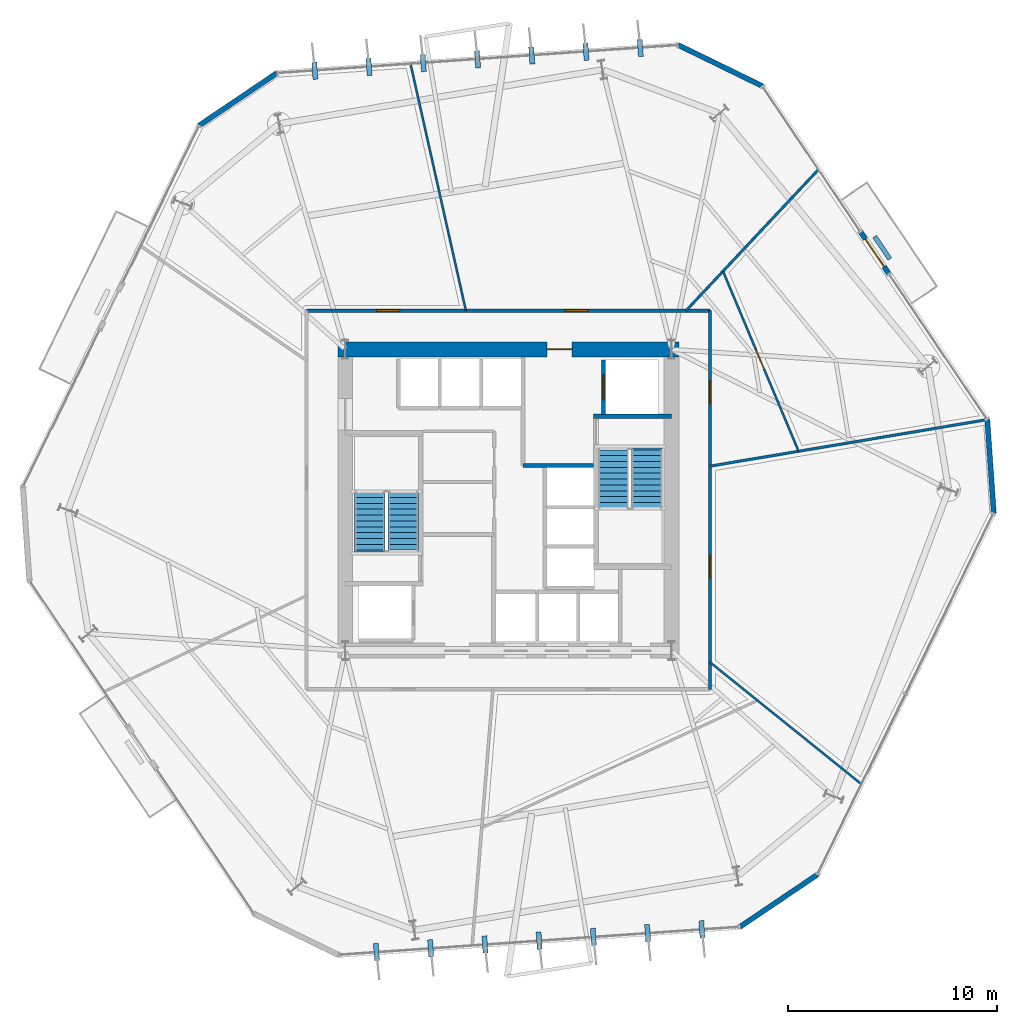
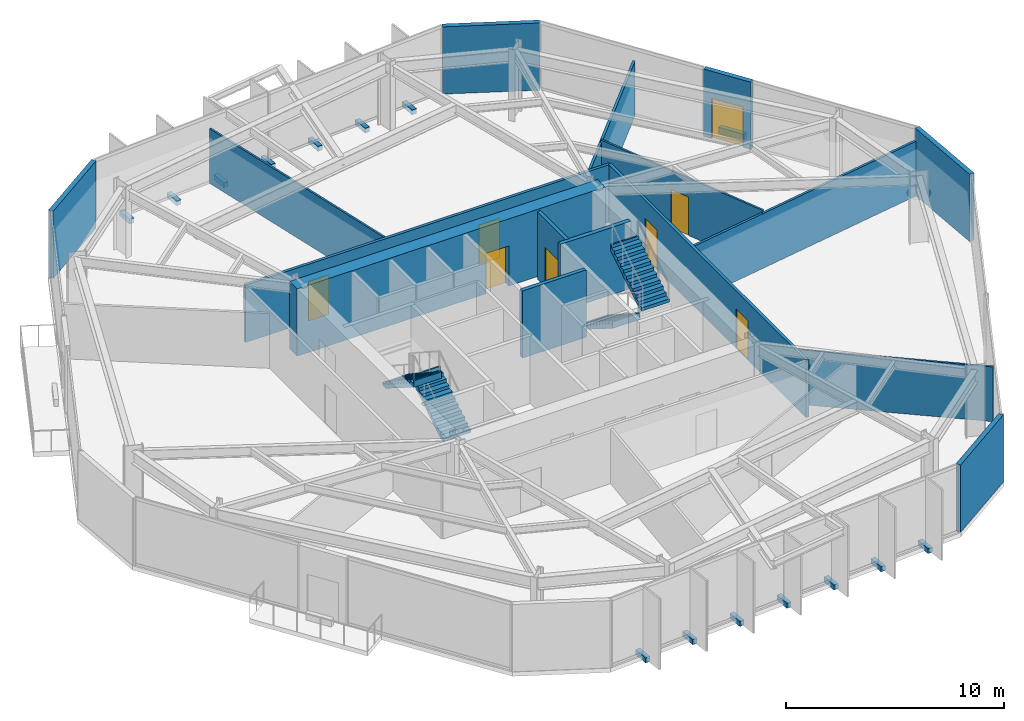
# One storey, part 7 of 10: 17 walls, 14 discrete accessories, 8 doors, 4 stair flights, 8 openings, 2 elements without a shape of their own.
"""IFC4 building model written with IfcOpenShell, lengths in metres."""

import ifcopenshell
import ifcopenshell.guid

model = None  # the IFC model being written
_history = None  # IfcOwnerHistory: only IFC2X3 demands one
_inside = {}  # id of a spatial element -> (the spatial element, [elements in it])
_under = {}  # id of a project, library or spatial element -> (it, [spatial elements below it])
_declared = {}  # id of a project -> (the project, [libraries it declares])
_typed = {}  # id of a type object -> (the type object, [elements of that type])
_made_of = {}  # id of a material, layer set ... -> (it, [elements and type objects made of it])


def new_model(schema):
    """Start an empty IFC model of exactly this schema.

    Asked for "IFC4X3", IfcOpenShell would pick the latest addendum, in which some entities
    have other attributes; the version numbers below select the first issue.
    IFC2X3 requires an IfcOwnerHistory on every rooted entity: one is made here for all.
    """
    global model, _history
    if schema == "IFC4X3":
        model = ifcopenshell.file(schema_version=(4, 3, 0, 0))
    else:
        model = ifcopenshell.file(schema=schema)
    _inside.clear()
    _under.clear()
    _declared.clear()
    _typed.clear()
    _made_of.clear()
    _history = None
    if model.schema == "IFC2X3":
        org = make("IfcOrganization", Name="unknown")
        user = make(
            "IfcPersonAndOrganization",
            ThePerson=make("IfcPerson", FamilyName="unknown"),
            TheOrganization=org,
        )
        app = make(
            "IfcApplication",
            ApplicationDeveloper=org,
            Version="unknown",
            ApplicationFullName="unknown",
            ApplicationIdentifier="unknown",
        )
        _history = make(
            "IfcOwnerHistory",
            OwningUser=user,
            OwningApplication=app,
            ChangeAction="ADDED",
            CreationDate=0,
        )
    return model


def make(cls, **values):
    """One entity of the class cls with the attributes given. An attribute that is None is left unset."""
    return model.create_entity(
        cls, **{name: value for name, value in values.items() if value is not None}
    )


def rooted(cls, **values):
    """An entity with a GlobalId (a new one), such as an element, a storey or a relation."""
    return make(cls, GlobalId=ifcopenshell.guid.new(), OwnerHistory=_history, **values)


def si_unit(unit_type, name, prefix=None):
    """IfcSIUnit, for example si_unit("LENGTHUNIT", "METRE", prefix="MILLI")."""
    return make("IfcSIUnit", UnitType=unit_type, Prefix=prefix, Name=name)


def assignment(units):
    """IfcUnitAssignment: the units of a project."""
    return None if units is None else make("IfcUnitAssignment", Units=units)


def point(xyz):
    """IfcCartesianPoint."""
    return None if xyz is None else make("IfcCartesianPoint", Coordinates=xyz)


def direction(xyz):
    """IfcDirection."""
    return None if xyz is None else make("IfcDirection", DirectionRatios=xyz)


def frame(location, z_axis=None, x_axis=None):
    """IfcAxis2Placement3D, a coordinate frame: its origin and axes. An axis left out is left unset."""
    return make(
        "IfcAxis2Placement3D",
        Location=point(location),
        Axis=direction(z_axis),
        RefDirection=direction(x_axis),
    )


def frame_2d(location, x_axis=None):
    """IfcAxis2Placement2D, a coordinate frame in the plane: its origin and x axis."""
    return make(
        "IfcAxis2Placement2D", Location=point(location), RefDirection=direction(x_axis)
    )


def origin():
    """The frame at (0, 0, 0) with its axes left unset."""
    return frame((0.0, 0.0, 0.0))


def origin_2d():
    """The frame at (0, 0) in the plane with its x axis left unset."""
    return frame_2d((0.0, 0.0))


def place(relative_to, where):
    """IfcLocalPlacement: puts the frame where relative to a parent placement (None: the world)."""
    return make(
        "IfcLocalPlacement", PlacementRelTo=relative_to, RelativePlacement=where
    )


def context(
    kind, dimensions, precision=None, world=None, true_north=None, identifier=None
):
    """IfcGeometricRepresentationContext, for example the 3D "Model" context."""
    return make(
        "IfcGeometricRepresentationContext",
        ContextIdentifier=identifier,
        ContextType=kind,
        CoordinateSpaceDimension=dimensions,
        Precision=precision,
        WorldCoordinateSystem=world,
        TrueNorth=true_north,
    )


def subcontext(parent, identifier, kind, view, scale=None):
    """IfcGeometricRepresentationSubContext, for example "Body" below "Model"."""
    return make(
        "IfcGeometricRepresentationSubContext",
        ContextIdentifier=identifier,
        ContextType=kind,
        ParentContext=parent,
        TargetScale=scale,
        TargetView=view,
    )


def project(units=None, contexts=None):
    """IfcProject with its units and contexts."""
    return rooted(
        "IfcProject",
        Name="project",
        RepresentationContexts=contexts,
        UnitsInContext=assignment(units),
    )


def spatial(cls, under=None, at=None, **own):
    """A site, building, storey or space (cls), placed at a placement, below another one or the project."""
    s = rooted(cls, ObjectPlacement=at, **own)
    if under is not None:
        _under.setdefault(under.id(), (under, []))[1].append(s)
    return s


def polyline(points):
    """IfcPolyline through the points."""
    return make("IfcPolyline", Points=[point(p) for p in points])


def profile(cls, at=None, kind="AREA", **sizes):
    """A parametric profile (cls). Its sizes go by their IFC names, for example OverallWidth=200.0."""
    return make(cls, ProfileType=kind, Position=at, **sizes)


def rectangle(**sizes):
    """IfcRectangleProfileDef."""
    return profile("IfcRectangleProfileDef", **sizes)


def outline(outer, holes=None, kind="AREA"):
    """IfcArbitraryClosedProfileDef: a profile drawn as a closed curve; with holes, ...WithVoids."""
    if holes is None:
        return make("IfcArbitraryClosedProfileDef", ProfileType=kind, OuterCurve=outer)
    return make(
        "IfcArbitraryProfileDefWithVoids",
        ProfileType=kind,
        OuterCurve=outer,
        InnerCurves=holes,
    )


def extrude(swept, where, along, depth):
    """IfcExtrudedAreaSolid: the profile swept, set in the frame where, extruded along a direction by depth."""
    return make(
        "IfcExtrudedAreaSolid",
        SweptArea=swept,
        Position=where,
        ExtrudedDirection=direction(along),
        Depth=depth,
    )


def shape(context_of_items, identifier, shape_type, items):
    """IfcShapeRepresentation: the items that make up one representation, for example the "Body"."""
    return make(
        "IfcShapeRepresentation",
        ContextOfItems=context_of_items,
        RepresentationIdentifier=identifier,
        RepresentationType=shape_type,
        Items=items,
    )


def material(Name=None, Category=None):
    """IfcMaterial."""
    return make("IfcMaterial", Name=Name, Category=Category)


def layer(
    of_material, thickness, ventilated=None, Name=None, Category=None, Priority=None
):
    """IfcMaterialLayer: one layer of a wall or slab, of a material (None: an air gap)."""
    return make(
        "IfcMaterialLayer",
        Material=of_material,
        LayerThickness=thickness,
        IsVentilated=ventilated,
        Name=Name,
        Category=Category,
        Priority=Priority,
    )


def layer_set(layers, Name=None):
    """IfcMaterialLayerSet."""
    return make("IfcMaterialLayerSet", MaterialLayers=layers, LayerSetName=Name)


def made_of(thing, what):
    """Note that an element or type object is made of a material, layer set ...; save() writes the relation."""
    if what is not None:
        _made_of.setdefault(what.id(), (what, []))[1].append(thing)
    return thing


def type_object(cls, material=None, **own):
    """A type object (cls), such as IfcWallType, which elements share."""
    return made_of(rooted(cls, **own), material)


def element(
    cls,
    number,
    at=None,
    inside=None,
    cuts=None,
    type_object=None,
    material=None,
    context=None,
    identifier="Body",
    shape_type=None,
    held_by="IfcProductDefinitionShape",
    body=None,
    shapes=None,
    **own,
):
    """One element of the class cls, such as IfcWall. Its Tag is "e" and its number.

    at: its placement. inside: the storey or other place that contains it. cuts: it is an
    opening in that element (IfcRelVoidsElement). A single representation is given by context,
    identifier, shape_type and body (its items); several are given by shapes. held_by: the class
    of the entity that holds the representations. save() writes the other relations.
    """
    e = rooted(cls, Tag="e%d" % number, ObjectPlacement=at, **own)
    if body is not None:
        shapes = [shape(context, identifier, shape_type, body)]
    if shapes is not None:
        e.Representation = make(held_by, Representations=shapes)
    if inside is not None:
        _inside.setdefault(inside.id(), (inside, []))[1].append(e)
    if cuts is not None:
        rooted(
            "IfcRelVoidsElement", RelatingBuildingElement=cuts, RelatedOpeningElement=e
        )
    if type_object is not None:
        _typed.setdefault(type_object.id(), (type_object, []))[1].append(e)
    return made_of(e, material)


def fill(opening, filler):
    """IfcRelFillsElement: the door or window that sits in an opening."""
    return rooted(
        "IfcRelFillsElement",
        RelatingOpeningElement=opening,
        RelatedBuildingElement=filler,
    )


def aggregate(whole, parts):
    """IfcRelAggregates: a whole, such as a stair, and the parts it consists of."""
    return rooted("IfcRelAggregates", RelatingObject=whole, RelatedObjects=parts)


def save(model, path):
    """Write the relations noted so far, then the file.

    IfcRelAggregates (storeys below a building ...), IfcRelContainedInSpatialStructure (elements
    in a storey), IfcRelDefinesByType, IfcRelAssociatesMaterial and IfcRelDeclares: one each for
    every whole, place, type object, material and project.
    """
    for whole, parts in _under.values():
        aggregate(whole, parts)
    for where, things in _inside.values():
        rooted(
            "IfcRelContainedInSpatialStructure",
            RelatedElements=things,
            RelatingStructure=where,
        )
    for kind, things in _typed.values():
        rooted("IfcRelDefinesByType", RelatedObjects=things, RelatingType=kind)
    for what, things in _made_of.values():
        rooted("IfcRelAssociatesMaterial", RelatedObjects=things, RelatingMaterial=what)
    for by, libraries in _declared.values():
        rooted("IfcRelDeclares", RelatingContext=by, RelatedDefinitions=libraries)
    model.write(path)


model = new_model("IFC4")

# Units and contexts
model_context = context("Model", 3, precision=1e-05, world=origin(), true_north=direction((0.0, 1.0)))
body_context = subcontext(model_context, "Body", "Model", "MODEL_VIEW")
ifc_project = project(units=[si_unit("LENGTHUNIT", "METRE"), si_unit("AREAUNIT", "SQUARE_METRE"), si_unit("VOLUMEUNIT", "CUBIC_METRE"), si_unit("PLANEANGLEUNIT", "RADIAN"), si_unit("MASSUNIT", "GRAM", prefix="KILO")], contexts=[model_context])

# Site, building, storey
site_placement = place(None, origin())
site = spatial("IfcSite", under=ifc_project, at=site_placement, CompositionType="ELEMENT")
building_placement = place(site_placement, origin())
building = spatial("IfcBuilding", under=site, at=building_placement, Name="Kranzbogen Civic Tower", CompositionType="ELEMENT")
storey_placement = place(building_placement, frame((0.0, 0.0, 36.0)))
storey = spatial("IfcBuildingStorey", under=building, at=storey_placement, Name="L08", CompositionType="ELEMENT", Elevation=36.0)

# Wall, openings, doors
ifc_material_1 = material(Name="Double-Stud Acoustic Gypsum Partition")
ifc_layer_1 = layer(ifc_material_1, 0.14990234375, Name="Double-Stud Acoustic Gypsum Partition")
ifc_layer_set_1 = layer_set([ifc_layer_1], Name="Double-Stud Acoustic Gypsum Partition")
wall_type_1 = type_object("IfcWallType", Name="Acoustic Corridor and Clinical Partition 150 mm", PredefinedType="PARTITIONING", material=ifc_layer_set_1)
wall_1_placement = place(storey_placement, frame((15.35009765625, 34.050048828125, 0.0), z_axis=(0.0, 0.0, 1.0), x_axis=(1.0, 0.0, 0.0)))
wall_1 = element("IfcWall", 1, at=wall_1_placement, inside=storey, type_object=wall_type_1, Name="L08 corridor partition 01", PredefinedType="PARTITIONING", context=body_context, shape_type="SweptSolid", body=[
    extrude(rectangle(XDim=19.2998046875, YDim=0.14990234375, at=frame_2d((9.64990234375, 0.0))), origin(), (0.0, 0.0, 1.0), 3.2099609375),
])
opening_1_placement = place(wall_1_placement, frame((12.368896484375, 0.0, 0.0)))
opening_1 = element("IfcOpeningElement", 2, at=opening_1_placement, cuts=wall_1, Name="Opening D-COR60", PredefinedType="OPENING", context=body_context, shape_type="SweptSolid", body=[
    extrude(rectangle(XDim=1.10009765625, YDim=2.199951171875, at=frame_2d((0.550048828125, 1.10009765625))), frame((0.0, 0.0849609375, 0.0), z_axis=(0.0, -1.0, 0.0), x_axis=(1.0, 0.0, 0.0)), (0.0, 0.0, 1.0), 0.169921875),
])
opening_2_placement = place(wall_1_placement, frame((3.346923828125, 0.0, 0.0)))
opening_2 = element("IfcOpeningElement", 3, at=opening_2_placement, cuts=wall_1, Name="Opening D-COR60", PredefinedType="OPENING", context=body_context, shape_type="SweptSolid", body=[
    extrude(rectangle(XDim=1.10009765625, YDim=2.199951171875, at=frame_2d((0.550048828125, 1.10009765625))), frame((0.0, 0.0849609375, 0.0), z_axis=(0.0, -1.0, 0.0), x_axis=(1.0, 0.0, 0.0)), (0.0, 0.0, 1.0), 0.169921875),
])
ifc_material_2 = material(Name="Oak Timber and Fire Core", Category="wood")
door_type_1 = type_object("IfcDoorType", Name="Corridor Acoustic Fire Door 1100x2200", OperationType="NOTDEFINED", PredefinedType="DOOR", material=ifc_material_2)
door_1_placement = place(opening_1_placement, origin())
door_1 = element("IfcDoor", 4, at=door_1_placement, inside=storey, type_object=door_type_1, Name="L08 Staff Tea Pantry door", OperationType="SINGLE_SWING_LEFT", OverallHeight=2.199951171875, OverallWidth=1.10009765625, PredefinedType="DOOR", context=body_context, shape_type="SweptSolid", body=[
    extrude(rectangle(XDim=1.10009765625, YDim=2.199951171875, at=frame_2d((0.550048828125, 1.10009765625))), frame((0.0, 0.02490234375, 0.0), z_axis=(0.0, -1.0, 0.0), x_axis=(1.0, 0.0, 0.0)), (0.0, 0.0, 1.0), 0.050048828125),
])
fill(opening_1, door_1)
door_2_placement = place(opening_2_placement, origin())
door_2 = element("IfcDoor", 5, at=door_2_placement, inside=storey, type_object=door_type_1, Name="L08 Public Delegation Reception door", OperationType="SINGLE_SWING_RIGHT", OverallHeight=2.199951171875, OverallWidth=1.10009765625, PredefinedType="DOOR", context=body_context, shape_type="SweptSolid", body=[
    extrude(rectangle(XDim=1.10009765625, YDim=2.199951171875, at=frame_2d((0.550048828125, 1.10009765625))), frame((0.0, 0.02490234375, 0.0), z_axis=(0.0, -1.0, 0.0), x_axis=(1.0, 0.0, 0.0)), (0.0, 0.0, 1.0), 0.050048828125),
])
fill(opening_2, door_2)

wall_2_placement = place(storey_placement, frame((34.64990234375, 34.050048828125, 0.0), z_axis=(0.0, 0.0, 1.0), x_axis=(0.0, -1.0, 0.0)))
wall_2 = element("IfcWall", 6, at=wall_2_placement, inside=storey, type_object=wall_type_1, Name="L08 corridor partition 02", PredefinedType="PARTITIONING", context=body_context, shape_type="SweptSolid", body=[
    extrude(rectangle(XDim=18.10009765625, YDim=0.14990234375, at=frame_2d((9.050048828125, 0.0))), origin(), (0.0, 0.0, 1.0), 3.2099609375),
])
opening_3_placement = place(wall_2_placement, frame((11.69091796875, 0.0, 0.0)))
opening_3 = element("IfcOpeningElement", 7, at=opening_3_placement, cuts=wall_2, Name="Opening D-COR60", PredefinedType="OPENING", context=body_context, shape_type="SweptSolid", body=[
    extrude(rectangle(XDim=1.10009765625, YDim=2.199951171875, at=frame_2d((0.550048828125, 1.10009765625))), frame((0.0, 0.0849609375, 0.0), z_axis=(0.0, -1.0, 0.0), x_axis=(1.0, 0.0, 0.0)), (0.0, 0.0, 1.0), 0.169921875),
])
opening_4_placement = place(wall_2_placement, frame((3.343017578125, 0.0, 0.0)))
opening_4 = element("IfcOpeningElement", 8, at=opening_4_placement, cuts=wall_2, Name="Opening D-COR60", PredefinedType="OPENING", context=body_context, shape_type="SweptSolid", body=[
    extrude(rectangle(XDim=1.10009765625, YDim=2.199951171875, at=frame_2d((0.550048828125, 1.10009765625))), frame((0.0, 0.0849609375, 0.0), z_axis=(0.0, -1.0, 0.0), x_axis=(1.0, 0.0, 0.0)), (0.0, 0.0, 1.0), 0.169921875),
])
door_3_placement = place(opening_3_placement, origin())
door_3 = element("IfcDoor", 9, at=door_3_placement, inside=storey, type_object=door_type_1, Name="L08 Civic Reference Library door", OperationType="SINGLE_SWING_RIGHT", OverallHeight=2.199951171875, OverallWidth=1.10009765625, PredefinedType="DOOR", context=body_context, shape_type="SweptSolid", body=[
    extrude(rectangle(XDim=1.10009765625, YDim=2.199951171875, at=frame_2d((0.550048828125, 1.10009765625))), frame((0.0, 0.02490234375, 0.0), z_axis=(0.0, -1.0, 0.0), x_axis=(1.0, 0.0, 0.0)), (0.0, 0.0, 1.0), 0.050048828125),
])
fill(opening_3, door_3)
door_4_placement = place(opening_4_placement, origin())
door_4 = element("IfcDoor", 10, at=door_4_placement, inside=storey, type_object=door_type_1, Name="L08 Urban Design Workshop door", OperationType="SINGLE_SWING_LEFT", OverallHeight=2.199951171875, OverallWidth=1.10009765625, PredefinedType="DOOR", context=body_context, shape_type="SweptSolid", body=[
    extrude(rectangle(XDim=1.10009765625, YDim=2.199951171875, at=frame_2d((0.550048828125, 1.10009765625))), frame((0.0, 0.02490234375, 0.0), z_axis=(0.0, -1.0, 0.0), x_axis=(1.0, 0.0, 0.0)), (0.0, 0.0, 1.0), 0.050048828125),
])
fill(opening_4, door_4)

# Walls
ifc_material_3 = material(Name="Insulated Metal-Stud Gypsum Partition")
ifc_layer_2 = layer(ifc_material_3, 0.125, Name="Insulated Metal-Stud Gypsum Partition")
ifc_layer_set_2 = layer_set([ifc_layer_2], Name="Insulated Metal-Stud Gypsum Partition")
wall_type_2 = type_object("IfcWallType", Name="Acoustic Inter-Room Partition 125 mm", PredefinedType="PARTITIONING", material=ifc_layer_set_2)
wall_3_placement = place(storey_placement, frame((33.491943359375, 34.050048828125, 0.0), z_axis=(0.0, 0.0, 1.0), x_axis=(0.684323058839, 0.72917895687, 0.0)))
element("IfcWall", 11, at=wall_3_placement, inside=storey, type_object=wall_type_2, Name="L08 radial room partition 01", PredefinedType="PARTITIONING", context=body_context, shape_type="SweptSolid", body=[
    extrude(rectangle(XDim=9.247314453125, YDim=0.125, at=frame_2d((4.62353515625, 0.0))), origin(), (0.0, 0.0, 1.0), 3.06005859375),
])
wall_4_placement = place(storey_placement, frame((34.64990234375, 26.6201171875, 0.0), z_axis=(0.0, 0.0, 1.0), x_axis=(0.986204923265, 0.165528998449, 0.0)))
element("IfcWall", 12, at=wall_4_placement, inside=storey, type_object=wall_type_2, Name="L08 radial room partition 07", PredefinedType="PARTITIONING", context=body_context, shape_type="SweptSolid", body=[
    extrude(rectangle(XDim=13.417236328125, YDim=0.125, at=frame_2d((6.70849609375, 0.0))), origin(), (0.0, 0.0, 1.0), 3.06005859375),
])
ifc_material_4 = material(Name="Architectural Precast Terracotta Concrete C40/50", Category="masonry")
ifc_layer_3 = layer(ifc_material_4, 0.219970703125, Name="Architectural Precast Terracotta Concrete C40/50")
ifc_layer_set_3 = layer_set([ifc_layer_3], Name="Architectural Precast Terracotta Concrete C40/50")
wall_type_3 = type_object("IfcWallType", Name="Architectural Tree Planter Kerb Wall 220 mm", PredefinedType="USERDEFINED", material=ifc_layer_set_3)
wall_5_placement = place(storey_placement, frame((43.242919921875, 36.52099609375, 0.0), z_axis=(0.0, 0.0, 1.0), x_axis=(-0.558465865857, 0.829527502059, 0.0)))
element("IfcWall", 13, at=wall_5_placement, inside=storey, type_object=wall_type_3, Name="L08 landscaped tree balcony planter L08-TB1", ObjectType="PLANTER_WALL", PredefinedType="USERDEFINED", context=body_context, shape_type="SweptSolid", body=[
    extrude(rectangle(XDim=1.2998046875, YDim=0.219970703125, at=frame_2d((0.64990234375, 0.0))), origin(), (0.0, 0.0, 1.0), 0.39990234375),
])

# Wall, opening, door
ifc_material_5 = material(Name="Concrete C55/67", Category="concrete")
ifc_layer_4 = layer(ifc_material_5, 0.699951171875, Name="Concrete C55/67")
ifc_layer_set_4 = layer_set([ifc_layer_4], Name="Concrete C55/67")
wall_type_4 = type_object("IfcWallType", Name="Central Core Shear Wall 700 mm", PredefinedType="SHEAR", material=ifc_layer_set_4)
wall_6_placement = place(storey_placement, frame((33.14990234375, 32.199951171875, 0.0), z_axis=(0.0, 0.0, 1.0), x_axis=(-1.0, 0.0, 0.0)))
wall_6 = element("IfcWall", 14, at=wall_6_placement, inside=storey, type_object=wall_type_4, Name="L08 central core North shear wall", PredefinedType="SHEAR", context=body_context, shape_type="SweptSolid", body=[
    extrude(rectangle(XDim=16.2998046875, YDim=0.699951171875, at=frame_2d((8.14990234375, 0.0))), origin(), (0.0, 0.0, 1.0), 3.760009765625),
])
opening_5_placement = place(wall_6_placement, frame((5.10009765625, 0.0, 0.0)))
opening_5 = element("IfcOpeningElement", 15, at=opening_5_placement, cuts=wall_6, Name="Opening D-EX120", PredefinedType="OPENING", context=body_context, shape_type="SweptSolid", body=[
    extrude(rectangle(XDim=1.199951171875, YDim=2.25, at=frame_2d((0.60009765625, 1.125))), frame((0.0, 0.35986328125, 0.0), z_axis=(0.0, -1.0, 0.0), x_axis=(1.0, 0.0, 0.0)), (0.0, 0.0, 1.0), 0.719970703125),
])
ifc_material_6 = material(Name="Steel S355", Category="steel")
door_type_2 = type_object("IfcDoorType", Name="Exit Passageway Fire Door 1200x2250", OperationType="NOTDEFINED", PredefinedType="DOOR", material=ifc_material_6)
door_5_placement = place(opening_5_placement, origin())
door_5 = element("IfcDoor", 16, at=door_5_placement, inside=storey, type_object=door_type_2, Name="L08 East firefighting lobby corridor door", OperationType="SINGLE_SWING_LEFT", OverallHeight=2.25, OverallWidth=1.199951171875, PredefinedType="DOOR", context=body_context, shape_type="SweptSolid", body=[
    extrude(rectangle(XDim=1.199951171875, YDim=2.25, at=frame_2d((0.60009765625, 1.125))), frame((0.0, 0.02490234375, 0.0), z_axis=(0.0, -1.0, 0.0), x_axis=(1.0, 0.0, 0.0)), (0.0, 0.0, 1.0), 0.050048828125),
])
fill(opening_5, door_5)

# Walls
ifc_material_7 = material(Name="Concrete C45/55", Category="concrete")
ifc_layer_5 = layer(ifc_material_7, 0.219970703125, Name="Concrete C45/55")
ifc_layer_set_5 = layer_set([ifc_layer_5], Name="Concrete C45/55")
wall_type_5 = type_object("IfcWallType", Name="Core Internal Stair Structural Wall 220 mm", PredefinedType="SOLIDWALL", material=ifc_layer_set_5)
wall_7_placement = place(storey_placement, frame((29.080078125, 29.010009765625, 0.0), z_axis=(0.0, 0.0, 1.0), x_axis=(1.0, 0.0, 0.0)))
element("IfcWall", 17, at=wall_7_placement, inside=storey, type_object=wall_type_5, Name="L08 ST-T2 North structural stair wall", PredefinedType="SOLIDWALL", context=body_context, shape_type="SweptSolid", body=[
    extrude(rectangle(XDim=3.719970703125, YDim=0.219970703125, at=frame_2d((1.85986328125, 0.0))), origin(), (0.0, 0.0, 1.0), 3.760009765625),
])
ifc_material_8 = material(Name="Demountable Aluminium and Gypsum Partition", Category="aluminium")
ifc_layer_6 = layer(ifc_material_8, 0.10009765625, Name="Demountable Aluminium and Gypsum Partition")
ifc_layer_set_6 = layer_set([ifc_layer_6], Name="Demountable Aluminium and Gypsum Partition")
wall_type_6 = type_object("IfcWallType", Name="Demountable Office Partition 100 mm", PredefinedType="MOVABLE", material=ifc_layer_set_6)
wall_8_placement = place(storey_placement, frame((22.969970703125, 34.050048828125, 0.0), z_axis=(0.0, 0.0, 1.0), x_axis=(-0.218867992102, 0.975754478357, 0.0)))
element("IfcWall", 18, at=wall_8_placement, inside=storey, type_object=wall_type_6, Name="L08 radial room partition 02", PredefinedType="MOVABLE", context=body_context, shape_type="SweptSolid", body=[
    extrude(rectangle(XDim=12.0849609375, YDim=0.10009765625, at=frame_2d((6.04248046875, 0.0))), origin(), (0.0, 0.0, 1.0), 3.050048828125),
])
wall_9_placement = place(storey_placement, frame((34.64990234375, 17.235107421875, 0.0), z_axis=(0.0, 0.0, 1.0), x_axis=(0.779103283346, -0.626895584511, 0.0)))
element("IfcWall", 19, at=wall_9_placement, inside=storey, type_object=wall_type_6, Name="L08 radial room partition 06", PredefinedType="MOVABLE", context=body_context, shape_type="SweptSolid", body=[
    extrude(rectangle(XDim=9.27099609375, YDim=0.10009765625, at=frame_2d((4.635498046875, 0.0))), origin(), (0.0, 0.0, 1.0), 3.06005859375),
])

# Wall, opening, door
wall_10_placement = place(storey_placement, frame((38.875, 27.343994140625, 0.0), z_axis=(0.0, 0.0, 1.0), x_axis=(-0.387303850875, 0.92195212842, 0.0)))
wall_10 = element("IfcWall", 20, at=wall_10_placement, inside=storey, type_object=wall_type_6, Name="L08 suite chord partition 02", PredefinedType="MOVABLE", context=body_context, shape_type="SweptSolid", body=[
    extrude(rectangle(XDim=9.305419921875, YDim=0.10009765625, at=frame_2d((4.65283203125, 0.0))), origin(), (0.0, 0.0, 1.0), 3.2099609375),
])
opening_6_placement = place(wall_10_placement, frame((4.240966796875, 0.0, 0.0)))
opening_6 = element("IfcOpeningElement", 21, at=opening_6_placement, cuts=wall_10, Name="Opening D-OFC10", PredefinedType="OPENING", context=body_context, shape_type="SweptSolid", body=[
    extrude(rectangle(XDim=1.0, YDim=2.14990234375, at=frame_2d((0.5, 1.074951171875))), frame((0.0, 0.06005859375, 0.0), z_axis=(0.0, -1.0, 0.0), x_axis=(1.0, 0.0, 0.0)), (0.0, 0.0, 1.0), 0.1201171875),
])
ifc_material_9 = material(Name="Oak Timber Veneer", Category="wood")
door_type_3 = type_object("IfcDoorType", Name="Standard Office Acoustic Door 1000x2150", OperationType="NOTDEFINED", PredefinedType="DOOR", material=ifc_material_9)
door_6_placement = place(opening_6_placement, origin())
door_6 = element("IfcDoor", 22, at=door_6_placement, inside=storey, type_object=door_type_3, Name="L08 Cultural Screening Clubroom door", OperationType="SINGLE_SWING_RIGHT", OverallHeight=2.14990234375, OverallWidth=1.0, PredefinedType="DOOR", context=body_context, shape_type="SweptSolid", body=[
    extrude(rectangle(XDim=1.0, YDim=2.14990234375, at=frame_2d((0.5, 1.074951171875))), frame((0.0, 0.02490234375, 0.0), z_axis=(0.0, -1.0, 0.0), x_axis=(1.0, 0.0, 0.0)), (0.0, 0.0, 1.0), 0.050048828125),
])
fill(opening_6, door_6)

# Wall
ifc_material_10 = material(Name="Gypsum Fireboard and Concrete Block", Category="concrete")
ifc_layer_7 = layer(ifc_material_10, 0.199951171875, Name="Gypsum Fireboard and Concrete Block")
ifc_layer_set_7 = layer_set([ifc_layer_7], Name="Gypsum Fireboard and Concrete Block")
wall_type_7 = type_object("IfcWallType", Name="Fire-Rated Exit Passageway and Stair Wall 200 mm", PredefinedType="PARTITIONING", material=ifc_layer_set_7)
wall_11_placement = place(storey_placement, frame((25.699951171875, 26.64990234375, 0.0), z_axis=(0.0, 0.0, 1.0), x_axis=(1.0, 0.0, 0.0)))
element("IfcWall", 23, at=wall_11_placement, inside=storey, type_object=wall_type_7, Name="L08 East firefighting lobby South wall", PredefinedType="PARTITIONING", context=body_context, shape_type="SweptSolid", body=[
    extrude(rectangle(XDim=3.380126953125, YDim=0.199951171875, at=frame_2d((1.68994140625, 0.0))), origin(), (0.0, 0.0, 1.0), 3.760009765625),
])

# Wall, opening, door
ifc_material_11 = material(Name="Gypsum Fireboard Shaftliner")
ifc_layer_8 = layer(ifc_material_11, 0.175048828125, Name="Gypsum Fireboard Shaftliner")
ifc_layer_set_8 = layer_set([ifc_layer_8], Name="Gypsum Fireboard Shaftliner")
wall_type_8 = type_object("IfcWallType", Name="Fire-Rated Lift and Service Shaft Wall 175 mm", PredefinedType="PARTITIONING", material=ifc_layer_set_8)
wall_12_placement = place(storey_placement, frame((29.550048828125, 29.10009765625, 0.0), z_axis=(0.0, 0.0, 1.0), x_axis=(0.0, 1.0, 0.0)))
wall_12 = element("IfcWall", 24, at=wall_12_placement, inside=storey, type_object=wall_type_8, Name="L08 lift FF-02 landing wall", PredefinedType="PARTITIONING", context=body_context, shape_type="SweptSolid", body=[
    extrude(rectangle(XDim=2.599853515625, YDim=0.175048828125, at=frame_2d((1.2998046875, 0.0))), origin(), (0.0, 0.0, 1.0), 3.760009765625),
])
opening_7_placement = place(wall_12_placement, frame((0.699951171875, 0.0, 0.0)))
opening_7 = element("IfcOpeningElement", 25, at=opening_7_placement, cuts=wall_12, Name="Opening LD-FF-02", PredefinedType="OPENING", context=body_context, shape_type="SweptSolid", body=[
    extrude(rectangle(XDim=1.199951171875, YDim=2.199951171875, at=frame_2d((0.60009765625, 1.10009765625))), frame((0.0, 0.09765625, 0.0), z_axis=(0.0, -1.0, 0.0), x_axis=(1.0, 0.0, 0.0)), (0.0, 0.0, 1.0), 0.195068359375),
])
ifc_material_12 = material(Name="Pale Anodised Aluminium", Category="aluminium")
door_type_4 = type_object("IfcDoorType", Name="Firefighting and Stretcher Lift Sliding Landing Door 1200x2200", OperationType="DOUBLE_DOOR_SLIDING", PredefinedType="DOOR", material=ifc_material_12)
door_7_placement = place(opening_7_placement, origin())
door_7 = element("IfcDoor", 26, at=door_7_placement, inside=storey, type_object=door_type_4, Name="L08 lift FF-02 sliding landing door", OperationType="DOUBLE_DOOR_SLIDING", OverallHeight=2.199951171875, OverallWidth=1.199951171875, PredefinedType="DOOR", context=body_context, shape_type="SweptSolid", body=[
    extrude(rectangle(XDim=1.199951171875, YDim=2.199951171875, at=frame_2d((0.60009765625, 1.10009765625))), frame((0.0, 0.02490234375, 0.0), z_axis=(0.0, -1.0, 0.0), x_axis=(1.0, 0.0, 0.0)), (0.0, 0.0, 1.0), 0.050048828125),
])
fill(opening_7, door_7)

ifc_layer_9 = layer(ifc_material_12, 0.239990234375, Name="Pale Anodised Aluminium")
ifc_layer_set_9 = layer_set([ifc_layer_9], Name="Pale Anodised Aluminium")
wall_type_9 = type_object("IfcWallType", Name="Insulated Aluminium Facade Portal Wall 240 mm", PredefinedType="STANDARD", material=ifc_layer_set_9)
wall_13_placement = place(storey_placement, frame((43.193115234375, 35.823974609375, 0.0), z_axis=(0.0, 0.0, 1.0), x_axis=(-0.559128660759, 0.82908090119, 0.0)))
wall_13 = element("IfcWall", 27, at=wall_13_placement, inside=storey, type_object=wall_type_9, Name="L08 exterior entrance portal wall 1", PredefinedType="STANDARD", context=body_context, shape_type="SweptSolid", body=[
    extrude(rectangle(XDim=2.400146484375, YDim=0.239990234375, at=frame_2d((1.2001953125, 0.0))), origin(), (0.0, 0.0, 1.0), 3.760009765625),
])
opening_8_placement = place(wall_13_placement, frame((0.39990234375, 0.0, 0.0)))
opening_8 = element("IfcOpeningElement", 28, at=opening_8_placement, cuts=wall_13, Name="Opening D-TER", PredefinedType="OPENING", context=body_context, shape_type="SweptSolid", body=[
    extrude(rectangle(XDim=1.60009765625, YDim=2.25, at=frame_2d((0.800048828125, 1.125))), frame((0.0, 0.1298828125, 0.0), z_axis=(0.0, -1.0, 0.0), x_axis=(1.0, 0.0, 0.0)), (0.0, 0.0, 1.0), 0.260009765625),
])
ifc_material_13 = material(Name="Anodised Bronze and Triple Glass", Category="glass")
door_type_5 = type_object("IfcDoorType", Name="Glazed Terrace and Balcony Double Door 1600x2250", OperationType="DOUBLE_DOOR_SINGLE_SWING", PredefinedType="DOOR", material=ifc_material_13)
door_8_placement = place(opening_8_placement, frame((1.60009765625, 0.0, 0.0), z_axis=(0.0, 0.0, 1.0), x_axis=(-1.0, 0.0, 0.0)))
door_8 = element("IfcDoor", 29, at=door_8_placement, inside=storey, type_object=door_type_5, Name="L08 tree balcony access door L08-TB1", OperationType="DOUBLE_DOOR_SINGLE_SWING", OverallHeight=2.25, OverallWidth=1.60009765625, PredefinedType="DOOR", context=body_context, shape_type="SweptSolid", body=[
    extrude(rectangle(XDim=1.60009765625, YDim=2.25, at=frame_2d((0.800048828125, 1.125))), frame((0.0, 0.02490234375, 0.0), z_axis=(0.0, -1.0, 0.0), x_axis=(1.0, 0.0, 0.0)), (0.0, 0.0, 1.0), 0.050048828125),
])
fill(opening_8, door_8)

# Walls
wall_14_placement = place(storey_placement, frame((37.14306640625, 44.7939453125, 0.0), z_axis=(0.0, 0.0, 1.0), x_axis=(-0.898814595488, 0.438329012202, 0.0)))
element("IfcWall", 30, at=wall_14_placement, inside=storey, type_object=wall_type_9, Name="L08 chamfered corner facade spandrel 1", PredefinedType="STANDARD", context=body_context, shape_type="SweptSolid", body=[
    extrude(rectangle(XDim=4.4736328125, YDim=0.239990234375, at=frame_2d((2.23681640625, 0.0))), origin(), (0.0, 0.0, 1.0), 3.760009765625),
])
for number, where, z_axis, x_axis, name in (
    (31, (13.929931640625, 45.4130859375, 0.0), (0.0, 0.0, 1.0), (-0.828990349764, -0.559262907762, 0.0), "L08 chamfered corner facade spandrel 2"),
    (32, (36.070068359375, 4.5869140625, 0.0), (0.0, 0.0, 1.0), (0.828990349764, 0.559262907762, 0.0), "L08 chamfered corner facade spandrel 5"),
):
    element("IfcWall", number, at=place(storey_placement, frame(where, z_axis=z_axis, x_axis=x_axis)), inside=storey, type_object=wall_type_9, Name=name, PredefinedType="STANDARD", context=body_context, shape_type="SweptSolid", body=[
        extrude(rectangle(XDim=4.47412109375, YDim=0.239990234375, at=frame_2d((2.237060546875, 0.0))), origin(), (0.0, 0.0, 1.0), 3.760009765625),
    ])
wall_15_placement = place(storey_placement, frame((48.212890625, 24.382080078125, 0.0), z_axis=(0.0, 0.0, 1.0), x_axis=(-0.069757428916, 0.997563983467, 0.0)))
element("IfcWall", 33, at=wall_15_placement, inside=storey, type_object=wall_type_9, Name="L08 chamfered corner facade spandrel 6", PredefinedType="STANDARD", context=body_context, shape_type="SweptSolid", body=[
    extrude(rectangle(XDim=4.472900390625, YDim=0.239990234375, at=frame_2d((2.236328125, 0.0))), origin(), (0.0, 0.0, 1.0), 3.760009765625),
])

# Stair, stair flights
ifc_material_14 = material(Name="Precast concrete C40/50", Category="concrete")
stair_type_1 = type_object("IfcStairType", Name="Tower Core Pressurized Dogleg Stair 1450", PredefinedType="HALF_TURN_STAIR", material=ifc_material_14)
stair_1_placement = place(storey_placement, origin())
stair_1 = element("IfcStair", 34, at=stair_1_placement, inside=storey, type_object=stair_type_1, Name="L08 Tower Core Pressurized Stair 1", PredefinedType="HALF_TURN_STAIR")
stair_flight_type = type_object("IfcStairFlightType", Name="Precast Concrete Stair Flight R180", PredefinedType="STRAIGHT", material=ifc_material_14)
stair_flight_1_placement = place(storey_placement, frame((19.97509765625, 22.60009765625, 0.0), z_axis=(0.0, 0.0, 1.0), x_axis=(0.0, 1.0, 0.0)))
stair_flight_1 = element("IfcStairFlight", 35, at=stair_flight_1_placement, type_object=stair_flight_type, Name="ST-T1 flight 1", NumberOfRisers=11, NumberOfTreads=10, PredefinedType="STRAIGHT", RiserHeight=0.181818182, TreadLength=0.28, context=body_context, shape_type="SweptSolid", body=[
    extrude(outline(polyline([(0.0, 0.0), (0.0, 0.181884765625), (0.280029296875, 0.181884765625), (0.280029296875, 0.363525390625), (0.56005859375, 0.363525390625), (0.56005859375, 0.54541015625), (0.840087890625, 0.54541015625), (0.840087890625, 0.727294921875), (1.1201171875, 0.727294921875), (1.1201171875, 0.9091796875), (1.39990234375, 0.9091796875), (1.39990234375, 1.0908203125), (1.679931640625, 1.0908203125), (1.679931640625, 1.272705078125), (1.9599609375, 1.272705078125), (1.9599609375, 1.45458984375), (2.239990234375, 1.45458984375), (2.239990234375, 1.636474609375), (2.52001953125, 1.636474609375), (2.52001953125, 1.818115234375), (2.800048828125, 1.818115234375), (2.800048828125, 2.0), (2.880126953125, 2.0), (2.880126953125, 1.639404296875), (0.275146484375, 0.0), (0.0, 0.0)])), frame((0.0, 0.72509765625, 0.0), z_axis=(0.0, -1.0, 0.0), x_axis=(1.0, 0.0, 0.0)), (0.0, 0.0, 1.0), 1.449951171875),
])
stair_flight_2_placement = place(storey_placement, frame((18.375, 25.39990234375, 2.0), z_axis=(0.0, 0.0, 1.0), x_axis=(0.0, -1.0, 0.0)))
stair_flight_2 = element("IfcStairFlight", 36, at=stair_flight_2_placement, type_object=stair_flight_type, Name="ST-T1 flight 2", NumberOfRisers=11, NumberOfTreads=10, PredefinedType="STRAIGHT", RiserHeight=0.181818182, TreadLength=0.28, context=body_context, shape_type="SweptSolid", body=[
    extrude(outline(polyline([(0.0, 0.0), (0.0, 0.181884765625), (0.280029296875, 0.181884765625), (0.280029296875, 0.363525390625), (0.56005859375, 0.363525390625), (0.56005859375, 0.54541015625), (0.840087890625, 0.54541015625), (0.840087890625, 0.727294921875), (1.1201171875, 0.727294921875), (1.1201171875, 0.9091796875), (1.39990234375, 0.9091796875), (1.39990234375, 1.0908203125), (1.679931640625, 1.0908203125), (1.679931640625, 1.272705078125), (1.9599609375, 1.272705078125), (1.9599609375, 1.45458984375), (2.239990234375, 1.45458984375), (2.239990234375, 1.636474609375), (2.52001953125, 1.636474609375), (2.52001953125, 1.818115234375), (2.800048828125, 1.818115234375), (2.800048828125, 2.0), (2.880126953125, 2.0), (2.880126953125, 1.639404296875), (0.275146484375, 0.0), (0.0, 0.0)])), frame((0.0, 0.72509765625, 0.0), z_axis=(0.0, -1.0, 0.0), x_axis=(1.0, 0.0, 0.0)), (0.0, 0.0, 1.0), 1.449951171875),
])
aggregate(stair_1, [stair_flight_1, stair_flight_2])

stair_type_2 = type_object("IfcStairType", Name="Tower Core Secondary Dogleg Stair 1450", PredefinedType="HALF_TURN_STAIR", material=ifc_material_14)
stair_2_placement = place(storey_placement, origin())
stair_2 = element("IfcStair", 37, at=stair_2_placement, inside=storey, type_object=stair_type_2, Name="L08 Tower Core Pressurized Stair 2", PredefinedType="HALF_TURN_STAIR")
stair_flight_3_placement = place(storey_placement, frame((30.02490234375, 27.39990234375, 0.0), z_axis=(0.0, 0.0, 1.0), x_axis=(0.0, -1.0, 0.0)))
stair_flight_3 = element("IfcStairFlight", 38, at=stair_flight_3_placement, type_object=stair_flight_type, Name="ST-T2 flight 1", NumberOfRisers=11, NumberOfTreads=10, PredefinedType="STRAIGHT", RiserHeight=0.181818182, TreadLength=0.28, context=body_context, shape_type="SweptSolid", body=[
    extrude(outline(polyline([(0.0, 0.0), (0.0, 0.181884765625), (0.280029296875, 0.181884765625), (0.280029296875, 0.363525390625), (0.56005859375, 0.363525390625), (0.56005859375, 0.54541015625), (0.840087890625, 0.54541015625), (0.840087890625, 0.727294921875), (1.1201171875, 0.727294921875), (1.1201171875, 0.9091796875), (1.39990234375, 0.9091796875), (1.39990234375, 1.0908203125), (1.679931640625, 1.0908203125), (1.679931640625, 1.272705078125), (1.9599609375, 1.272705078125), (1.9599609375, 1.45458984375), (2.239990234375, 1.45458984375), (2.239990234375, 1.636474609375), (2.52001953125, 1.636474609375), (2.52001953125, 1.818115234375), (2.800048828125, 1.818115234375), (2.800048828125, 2.0), (2.880126953125, 2.0), (2.880126953125, 1.639404296875), (0.275146484375, 0.0), (0.0, 0.0)])), frame((0.0, 0.72509765625, 0.0), z_axis=(0.0, -1.0, 0.0), x_axis=(1.0, 0.0, 0.0)), (0.0, 0.0, 1.0), 1.449951171875),
])
stair_flight_4_placement = place(storey_placement, frame((31.625, 24.60009765625, 2.0), z_axis=(0.0, 0.0, 1.0), x_axis=(0.0, 1.0, 0.0)))
stair_flight_4 = element("IfcStairFlight", 39, at=stair_flight_4_placement, type_object=stair_flight_type, Name="ST-T2 flight 2", NumberOfRisers=11, NumberOfTreads=10, PredefinedType="STRAIGHT", RiserHeight=0.181818182, TreadLength=0.28, context=body_context, shape_type="SweptSolid", body=[
    extrude(outline(polyline([(0.0, 0.0), (0.0, 0.181884765625), (0.280029296875, 0.181884765625), (0.280029296875, 0.363525390625), (0.56005859375, 0.363525390625), (0.56005859375, 0.54541015625), (0.840087890625, 0.54541015625), (0.840087890625, 0.727294921875), (1.1201171875, 0.727294921875), (1.1201171875, 0.9091796875), (1.39990234375, 0.9091796875), (1.39990234375, 1.0908203125), (1.679931640625, 1.0908203125), (1.679931640625, 1.272705078125), (1.9599609375, 1.272705078125), (1.9599609375, 1.45458984375), (2.239990234375, 1.45458984375), (2.239990234375, 1.636474609375), (2.52001953125, 1.636474609375), (2.52001953125, 1.818115234375), (2.800048828125, 1.818115234375), (2.800048828125, 2.0), (2.880126953125, 2.0), (2.880126953125, 1.639404296875), (0.275146484375, 0.0), (0.0, 0.0)])), frame((0.0, 0.72509765625, 0.0), z_axis=(0.0, -1.0, 0.0), x_axis=(1.0, 0.0, 0.0)), (0.0, 0.0, 1.0), 1.449951171875),
])
aggregate(stair_2, [stair_flight_3, stair_flight_4])

# Discrete accessories
discrete_accessory_type = type_object("IfcDiscreteAccessoryType", Name="Structural Curtain-Wall Fin Support Bracket", PredefinedType="BRACKET", material=ifc_material_6)
for number, where, z_axis, x_axis, name in (
    (40, (31.30810546875, 46.614990234375, -0.25), (0.0, 0.0, 1.0), (-0.069756473744, 0.99756405026, 0.0), "L08 facade fin support bracket F2-1"),
    (41, (28.714111328125, 46.43408203125, -0.25), (0.0, 0.0, 1.0), (-0.069756473744, 0.99756405026, 0.0), "L08 facade fin support bracket F2-2"),
    (42, (26.1201171875, 46.2529296875, -0.25), (0.0, 0.0, 1.0), (-0.069756473744, 0.99756405026, 0.0), "L08 facade fin support bracket F2-3"),
    (43, (23.527099609375, 46.071044921875, -0.25), (0.0, 0.0, 1.0), (-0.069756473744, 0.99756405026, 0.0), "L08 facade fin support bracket F2-4"),
    (44, (20.93310546875, 45.889892578125, -0.25), (0.0, 0.0, 1.0), (-0.069756473744, 0.99756405026, 0.0), "L08 facade fin support bracket F2-5"),
    (45, (18.339111328125, 45.708984375, -0.25), (0.0, 0.0, 1.0), (-0.069756473744, 0.99756405026, 0.0), "L08 facade fin support bracket F2-6"),
    (46, (15.74609375, 45.527099609375, -0.25), (0.0, 0.0, 1.0), (-0.069756473744, 0.99756405026, 0.0), "L08 facade fin support bracket F2-7"),
    (47, (18.69189453125, 3.385009765625, -0.25), (0.0, 0.0, 1.0), (0.069756473744, -0.99756405026, 0.0), "L08 facade fin support bracket F5-1"),
    (48, (21.285888671875, 3.56591796875, -0.25), (0.0, 0.0, 1.0), (0.069756473744, -0.99756405026, 0.0), "L08 facade fin support bracket F5-2"),
    (49, (23.8798828125, 3.7470703125, -0.25), (0.0, 0.0, 1.0), (0.069756473744, -0.99756405026, 0.0), "L08 facade fin support bracket F5-3"),
    (50, (26.472900390625, 3.928955078125, -0.25), (0.0, 0.0, 1.0), (0.069756473744, -0.99756405026, 0.0), "L08 facade fin support bracket F5-4"),
    (51, (29.06689453125, 4.110107421875, -0.25), (0.0, 0.0, 1.0), (0.069756473744, -0.99756405026, 0.0), "L08 facade fin support bracket F5-5"),
    (52, (31.660888671875, 4.291015625, -0.25), (0.0, 0.0, 1.0), (0.069756473744, -0.99756405026, 0.0), "L08 facade fin support bracket F5-6"),
    (53, (34.25390625, 4.472900390625, -0.25), (0.0, 0.0, 1.0), (0.069756473744, -0.99756405026, 0.0), "L08 facade fin support bracket F5-7"),
):
    element("IfcDiscreteAccessory", number, at=place(storey_placement, frame(where, z_axis=z_axis, x_axis=x_axis)), inside=storey, type_object=discrete_accessory_type, Name=name, PredefinedType="BRACKET", context=body_context, shape_type="SweptSolid", body=[
        extrude(rectangle(XDim=0.820068359375, YDim=0.239990234375, at=origin_2d()), origin(), (0.0, 0.0, 1.0), 0.280029296875),
    ])

save(model, "model.ifc")
